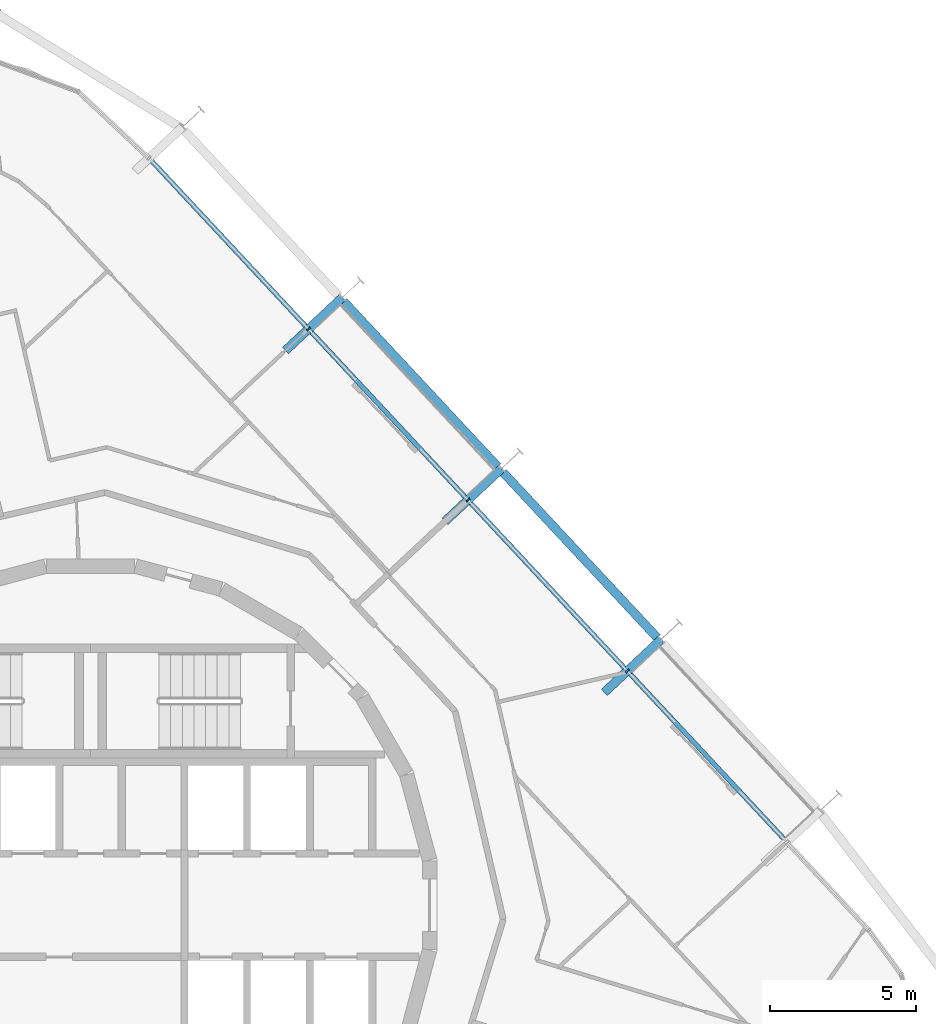
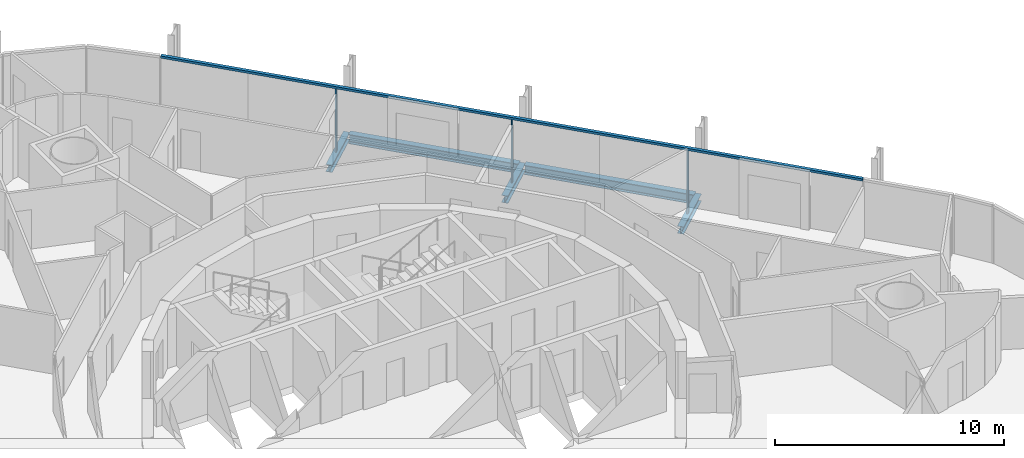
# One storey, part 9 of 18: 5 beams, 4 members, 1 element without a shape of its own.
"""IFC4 building model written with IfcOpenShell, lengths in metres."""

from ifc_helpers import new_model, si_unit, direction, frame, origin, origin_2d, place, context, subcontext, project, spatial, rectangle, i_section, extrude, material, layer, layer_set, material_profile, profile_set, type_object, element, aggregate, save


model = new_model("IFC4")

# Units and contexts
model_context = context("Model", 3, precision=1e-05, world=origin(), true_north=direction((0.0, 1.0)))
body_context = subcontext(model_context, "Body", "Model", "MODEL_VIEW")
ifc_project = project(units=[si_unit("LENGTHUNIT", "METRE"), si_unit("AREAUNIT", "SQUARE_METRE"), si_unit("VOLUMEUNIT", "CUBIC_METRE"), si_unit("PLANEANGLEUNIT", "RADIAN"), si_unit("MASSUNIT", "GRAM", prefix="KILO")], contexts=[model_context])

# Site, building, storey
site_placement = place(None, origin())
site = spatial("IfcSite", under=ifc_project, at=site_placement, CompositionType="ELEMENT")
building_placement = place(site_placement, origin())
building = spatial("IfcBuilding", under=site, at=building_placement, Name="Spindle Arch Residences", CompositionType="ELEMENT")
storey_placement = place(building_placement, frame((0.0, 0.0, 137.89990234375)))
storey = spatial("IfcBuildingStorey", under=building, at=storey_placement, Name="L34", CompositionType="ELEMENT", Elevation=137.89990234375)

# Curtain wall, members
ifc_material_1 = material(Name="Aluminium bronze unitised frame with tinted glass", Category="aluminium")
ifc_layer = layer(ifc_material_1, 0.159912109375)
ifc_layer_set = layer_set([ifc_layer], Name="CW-C typical residential unitised wall")
curtain_wall_type = type_object("IfcCurtainWallType", Name="CW-C typical residential unitised wall", PredefinedType="NOTDEFINED", material=ifc_layer_set)
curtain_wall_placement = place(storey_placement, origin())
curtain_wall = element("IfcCurtainWall", 1, at=curtain_wall_placement, inside=storey, type_object=curtain_wall_type, Name="CW-C L34 run 2", PredefinedType="NOTDEFINED")
ifc_material_2 = material(Name="Aluminium bronze anodised mullion", Category="aluminium")
ifc_material_profile_1 = material_profile(ifc_material_2, rectangle(XDim=0.159912109375, YDim=0.06005859375, at=origin_2d()), Name="MU 60x160")
ifc_profile_set_1 = profile_set([ifc_material_profile_1], Name="Aluminium bronze anodised mullion")
member_type_1 = type_object("IfcMemberType", Name="Bronze mullion 60x160", PredefinedType="MULLION", material=ifc_profile_set_1)
member_1_placement = place(storey_placement, frame((18.437744140625, 8.044677734375, -0.3798828125), z_axis=(0.0, 0.0, 1.0), x_axis=(-0.731353701619, -0.681998360062, 0.0)))
member_1 = element("IfcMember", 2, at=member_1_placement, type_object=member_type_1, Name="CW-C mullion 06", PredefinedType="MULLION", context=body_context, shape_type="SweptSolid", body=[
    extrude(rectangle(XDim=0.159912109375, YDim=0.06005859375, at=origin_2d()), origin(), (0.0, 0.0, 1.0), 3.3798828125),
])
member_2_placement = place(storey_placement, frame((12.961669921875, 13.916748046875, -0.3798828125), z_axis=(0.0, 0.0, 1.0), x_axis=(-0.731353701619, -0.681998360062, 0.0)))
member_2 = element("IfcMember", 3, at=member_2_placement, type_object=member_type_1, Name="CW-C mullion 07", PredefinedType="MULLION", context=body_context, shape_type="SweptSolid", body=[
    extrude(rectangle(XDim=0.159912109375, YDim=0.06005859375, at=origin_2d()), origin(), (0.0, 0.0, 1.0), 3.3798828125),
])
member_3_placement = place(storey_placement, frame((7.48583984375, 19.7890625, -0.3798828125), z_axis=(0.0, 0.0, 1.0), x_axis=(-0.731353701619, -0.681998360062, 0.0)))
member_3 = element("IfcMember", 4, at=member_3_placement, type_object=member_type_1, Name="CW-C mullion 08", PredefinedType="MULLION", context=body_context, shape_type="SweptSolid", body=[
    extrude(rectangle(XDim=0.159912109375, YDim=0.06005859375, at=origin_2d()), origin(), (0.0, 0.0, 1.0), 3.3798828125),
])
ifc_material_3 = material(Name="Aluminium bronze anodised transom", Category="aluminium")
ifc_material_profile_2 = material_profile(ifc_material_3, rectangle(XDim=0.159912109375, YDim=0.1201171875, at=origin_2d()), Name="TR 120x160")
ifc_profile_set_2 = profile_set([ifc_material_profile_2], Name="Aluminium bronze anodised transom")
member_type_2 = type_object("IfcMemberType", Name="Bronze transom 120x160", PredefinedType="USERDEFINED", material=ifc_profile_set_2)
member_4_placement = place(storey_placement, frame((23.89306640625, 2.1943359375, 3.06005859375), z_axis=(-0.681996633995, 0.731355311199, 0.0), x_axis=(-0.731355311199, -0.681996633995, 0.0)))
member_4 = element("IfcMember", 5, at=member_4_placement, type_object=member_type_2, Name="CW-C transom 00", ObjectType="TRANSOM", PredefinedType="USERDEFINED", context=body_context, shape_type="SweptSolid", body=[
    extrude(rectangle(XDim=0.159912109375, YDim=0.1201171875, at=origin_2d()), origin(), (0.0, 0.0, 1.0), 32.056640625),
])
aggregate(curtain_wall, [member_4, member_1, member_2, member_3])

# Beams
ifc_material_4 = material(Name="Steel S460ML, intumescent coating R 120", Category="steel")
ifc_material_profile_3 = material_profile(ifc_material_4, i_section(OverallWidth=0.300048828125, OverallDepth=0.5, WebThickness=0.014404296875, FlangeThickness=0.028076171875, FilletRadius=0.027099609375, at=origin_2d()), Name="HEB 500")
ifc_profile_set_3 = profile_set([ifc_material_profile_3], Name="Steel S460ML, intumescent coating R 120")
beam_type_1 = type_object("IfcBeamType", Name="Exoskeleton edge beam HEB 500", PredefinedType="BEAM", material=ifc_profile_set_3)
beam_1_placement = place(storey_placement, frame((19.468017578125, 9.18310546875, -0.6298828125), z_axis=(-0.681992374481, 0.731359283218, 0.0), x_axis=(-0.731359283218, -0.681992374481, 0.0)))
element("IfcBeam", 6, at=beam_1_placement, inside=storey, type_object=beam_type_1, Name="Exoskeleton edge beam 7", PredefinedType="BEAM", context=body_context, shape_type="SweptSolid", body=[
    extrude(i_section(OverallWidth=0.300048828125, OverallDepth=0.5, WebThickness=0.014404296875, FlangeThickness=0.028076171875, FilletRadius=0.027099609375, at=origin_2d()), origin(), (0.0, 0.0, 1.0), 7.769287109375),
])
beam_2_placement = place(storey_placement, frame((13.9921875, 15.055419921875, -0.6298828125), z_axis=(-0.682008048331, 0.731344667042, 0.0), x_axis=(-0.731344667042, -0.682008048331, 0.0)))
element("IfcBeam", 7, at=beam_2_placement, inside=storey, type_object=beam_type_1, Name="Exoskeleton edge beam 8", PredefinedType="BEAM", context=body_context, shape_type="SweptSolid", body=[
    extrude(i_section(OverallWidth=0.300048828125, OverallDepth=0.5, WebThickness=0.014404296875, FlangeThickness=0.028076171875, FilletRadius=0.027099609375, at=origin_2d()), origin(), (0.0, 0.0, 1.0), 7.76904296875),
])
ifc_material_5 = material(Name="Steel S460ML, intumescent coating R 120", Category="steel")
ifc_material_profile_4 = material_profile(ifc_material_5, i_section(OverallWidth=0.300048828125, OverallDepth=0.389892578125, WebThickness=0.010986328125, FlangeThickness=0.01904296875, FilletRadius=0.027099609375, at=origin_2d()), Name="HEA 400")
ifc_profile_set_4 = profile_set([ifc_material_profile_4], Name="Steel S460ML, intumescent coating R 120")
beam_type_2 = type_object("IfcBeamType", Name="Floor outrigger HEA 400", PredefinedType="BEAM", material=ifc_profile_set_4)
beam_3_placement = place(storey_placement, frame((19.5859375, 9.115478515625, -0.574951171875), z_axis=(-0.731364603864, -0.681986668649, 0.0), x_axis=(0.681986668649, -0.731364603864, 0.0)))
element("IfcBeam", 8, at=beam_3_placement, inside=storey, type_object=beam_type_2, Name="Floor outrigger 7", PredefinedType="BEAM", context=body_context, shape_type="SweptSolid", body=[
    extrude(i_section(OverallWidth=0.300048828125, OverallDepth=0.389892578125, WebThickness=0.010986328125, FlangeThickness=0.01904296875, FilletRadius=0.027099609375, at=origin_2d()), origin(), (0.0, 0.0, 1.0), 2.650146484375),
])
for number, where, z_axis, x_axis, name in (
    (9, (14.110107421875, 14.987548828125, -0.574951171875), (-0.731410554291, -0.681937387941, 0.0), (0.681937387941, -0.731410554291, 0.0), "Floor outrigger 8"),
    (10, (8.634033203125, 20.859619140625, -0.574951171875), (-0.731367706511, -0.681983341345, 0.0), (0.681983341345, -0.731367706511, 0.0), "Floor outrigger 9"),
):
    element("IfcBeam", number, at=place(storey_placement, frame(where, z_axis=z_axis, x_axis=x_axis)), inside=storey, type_object=beam_type_2, Name=name, PredefinedType="BEAM", context=body_context, shape_type="SweptSolid", body=[
        extrude(i_section(OverallWidth=0.300048828125, OverallDepth=0.389892578125, WebThickness=0.010986328125, FlangeThickness=0.01904296875, FilletRadius=0.027099609375, at=origin_2d()), origin(), (0.0, 0.0, 1.0), 2.64990234375),
    ])

save(model, "model.ifc")
